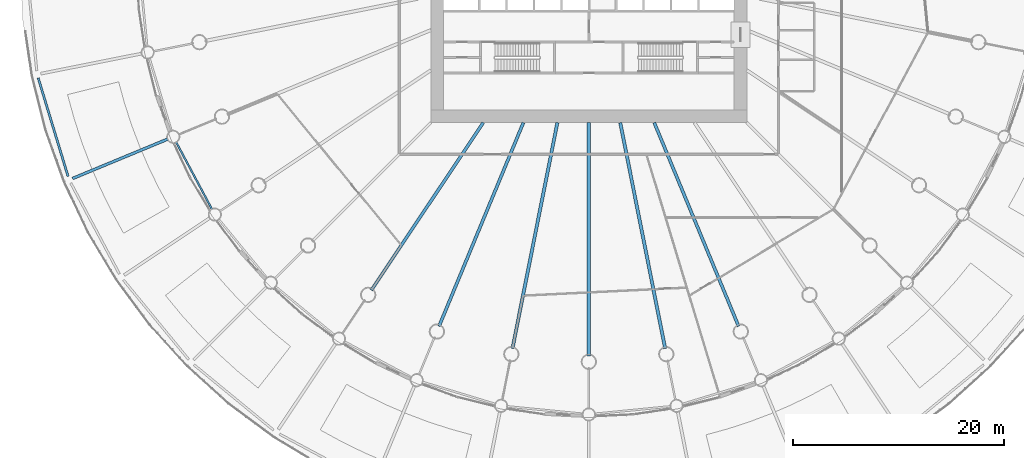
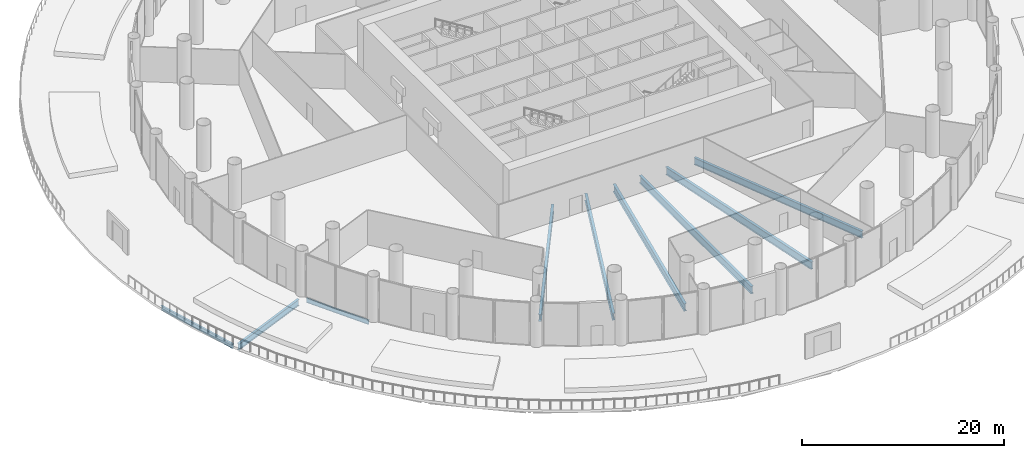
# One storey, part 5 of 36: 9 beams.
"""IFC4 building model written with IfcOpenShell, lengths in metres."""

from ifc_helpers import new_model, si_unit, direction, frame, origin, origin_2d, place, context, subcontext, project, spatial, i_section, extrude, material, material_profile, profile_set, type_object, element, save


model = new_model("IFC4")

# Units and contexts
model_context = context("Model", 3, precision=1e-05, world=origin(), true_north=direction((0.0, 1.0)))
body_context = subcontext(model_context, "Body", "Model", "MODEL_VIEW")
ifc_project = project(units=[si_unit("LENGTHUNIT", "METRE"), si_unit("AREAUNIT", "SQUARE_METRE"), si_unit("VOLUMEUNIT", "CUBIC_METRE"), si_unit("PLANEANGLEUNIT", "RADIAN"), si_unit("MASSUNIT", "GRAM", prefix="KILO")], contexts=[model_context])

# Site, building, storey
site_placement = place(None, origin())
site = spatial("IfcSite", under=ifc_project, at=site_placement, CompositionType="ELEMENT")
building_placement = place(site_placement, origin())
building = spatial("IfcBuilding", under=site, at=building_placement, Name="Corvane Civic Tower", CompositionType="ELEMENT")
storey_placement = place(building_placement, frame((0.0, 0.0, 6.0)))
storey = spatial("IfcBuildingStorey", under=building, at=storey_placement, Name="L01", CompositionType="ELEMENT", Elevation=6.0)

# Beams
ifc_material_1 = material(Name="Steel ASTM A992 Gr 50", Category="steel")
ifc_material_profile_1 = material_profile(ifc_material_1, i_section(OverallWidth=0.2666015625, OverallDepth=0.7568359375, WebThickness=0.013916015625, FlangeThickness=0.019287109375, at=origin_2d()), Name="W30X108")
ifc_profile_set_1 = profile_set([ifc_material_profile_1], Name="Steel ASTM A992 Gr 50")
beam_type_1 = type_object("IfcBeamType", Name="DECK BEAM W30X108", PredefinedType="BEAM", material=ifc_profile_set_1)
beam_1_placement = place(storey_placement, frame((-39.957763671875, -16.551025390625, -0.678466796875), z_axis=(-0.923880501031, -0.382681094144, 0.0), x_axis=(0.382681094144, -0.923880501031, 0.0)))
element("IfcBeam", 1, at=beam_1_placement, inside=storey, type_object=beam_type_1, Name="BM-L01-D23", PredefinedType="BEAM", context=body_context, shape_type="SweptSolid", body=[
    extrude(i_section(OverallWidth=0.2666015625, OverallDepth=0.7568359375, WebThickness=0.013916015625, FlangeThickness=0.019287109375, at=origin_2d()), origin(), (0.0, 0.0, 1.0), 9.7998046875),
])
ifc_material_2 = material(Name="Steel ASTM A992 Gr 50", Category="steel")
ifc_material_profile_2 = material_profile(ifc_material_2, i_section(OverallWidth=0.165771484375, OverallDepth=0.5283203125, WebThickness=0.009765625, FlangeThickness=0.013671875, at=origin_2d()), Name="W21X50")
ifc_profile_set_2 = profile_set([ifc_material_profile_2], Name="Steel ASTM A992 Gr 50")
beam_type_2 = type_object("IfcBeamType", Name="EDGE BEAM W21X50", PredefinedType="BEAM", material=ifc_profile_set_2)
beam_2_placement = place(storey_placement, frame((-35.762939453125, -23.23779296875, -0.564208984375), z_axis=(-0.471412394598, 0.881912894916, 0.0), x_axis=(-0.881912894916, -0.471412394598, 0.0)))
element("IfcBeam", 2, at=beam_2_placement, inside=storey, type_object=beam_type_2, Name="BM-L01-E22", PredefinedType="BEAM", context=body_context, shape_type="SweptSolid", body=[
    extrude(i_section(OverallWidth=0.165771484375, OverallDepth=0.5283203125, WebThickness=0.009765625, FlangeThickness=0.013671875, at=origin_2d()), origin(), (0.0, 0.0, 1.0), 7.270751953125),
])
ifc_material_3 = material(Name="Steel ASTM A992 Gr 50", Category="steel")
ifc_material_profile_3 = material_profile(ifc_material_3, i_section(OverallWidth=0.209228515625, OverallDepth=0.533447265625, WebThickness=0.01025390625, FlangeThickness=0.015625, at=origin_2d()), Name="W21X62")
ifc_profile_set_3 = profile_set([ifc_material_profile_3], Name="Steel ASTM A992 Gr 50")
beam_type_3 = type_object("IfcBeamType", Name="EDGE BEAM W21X62", PredefinedType="BEAM", material=ifc_profile_set_3)
beam_3_placement = place(storey_placement, frame((-49.436767578125, -20.100341796875, -0.566650390625), z_axis=(-0.290295255144, 0.956937126901, 0.0), x_axis=(-0.956937126901, -0.290295255144, 0.0)))
element("IfcBeam", 3, at=beam_3_placement, inside=storey, type_object=beam_type_3, Name="BM-L01-H23", PredefinedType="BEAM", context=body_context, shape_type="SweptSolid", body=[
    extrude(i_section(OverallWidth=0.209228515625, OverallDepth=0.533447265625, WebThickness=0.01025390625, FlangeThickness=0.015625, at=origin_2d()), origin(), (0.0, 0.0, 1.0), 9.768310546875),
])
ifc_material_4 = material(Name="Steel ASTM A992 Gr 50", Category="steel")
ifc_material_profile_4 = material_profile(ifc_material_4, i_section(OverallWidth=0.2919921875, OverallDepth=0.845703125, WebThickness=0.015380859375, FlangeThickness=0.0244140625, at=origin_2d()), Name="W33X141")
ifc_profile_set_4 = profile_set([ifc_material_profile_4], Name="Steel ASTM A992 Gr 50")
beam_type_4 = type_object("IfcBeamType", Name="FLOOR GIRDER W33X141", PredefinedType="BEAM", material=ifc_profile_set_4)
for number, where, z_axis, x_axis, name in (
    (4, (6.213134765625, -15.0, -0.722900390625), (0.382692360381, -0.923875834355, 0.0), (0.923875834355, 0.382692360381, 0.0), "BM-L01-G15"),
    (5, (-6.213134765625, -15.0, -0.722900390625), (-0.382692360381, -0.923875834355, 0.0), (0.923875834355, -0.382692360381, 0.0), "BM-L01-G19"),
):
    element("IfcBeam", number, at=place(storey_placement, frame(where, z_axis=z_axis, x_axis=x_axis)), inside=storey, type_object=beam_type_4, Name=name, PredefinedType="BEAM", context=body_context, shape_type="SweptSolid", body=[
        extrude(i_section(OverallWidth=0.2919921875, OverallDepth=0.845703125, WebThickness=0.015380859375, FlangeThickness=0.0244140625, at=origin_2d()), origin(), (0.0, 0.0, 1.0), 20.9140625),
    ])
beam_4_placement = place(storey_placement, frame((-10.022705078125, -15.0, -0.722900390625), z_axis=(-0.555566681385, -0.831471985418, 0.0), x_axis=(0.831471985418, -0.555566681385, 0.0)))
element("IfcBeam", 6, at=beam_4_placement, inside=storey, type_object=beam_type_4, Name="BM-L01-G20", PredefinedType="BEAM", context=body_context, shape_type="SweptSolid", body=[
    extrude(i_section(OverallWidth=0.2919921875, OverallDepth=0.845703125, WebThickness=0.015380859375, FlangeThickness=0.0244140625, at=origin_2d()), origin(), (0.0, 0.0, 1.0), 19.109619140625),
])
ifc_material_5 = material(Name="Steel ASTM A992 Gr 50", Category="steel")
ifc_material_profile_5 = material_profile(ifc_material_5, i_section(OverallWidth=0.3046875, OverallDepth=0.911865234375, WebThickness=0.015869140625, FlangeThickness=0.02392578125, at=origin_2d()), Name="W36X150")
ifc_profile_set_5 = profile_set([ifc_material_profile_5], Name="Steel ASTM A992 Gr 50")
beam_type_5 = type_object("IfcBeamType", Name="FLOOR GIRDER W36X150", PredefinedType="BEAM", material=ifc_profile_set_5)
beam_5_placement = place(storey_placement, frame((2.983642578125, -15.0, -0.755859375), z_axis=(0.195089219638, -0.980785499679, 0.0), x_axis=(0.980785499679, 0.195089219638, 0.0)))
element("IfcBeam", 7, at=beam_5_placement, inside=storey, type_object=beam_type_5, Name="BM-L01-G16", PredefinedType="BEAM", context=body_context, shape_type="SweptSolid", body=[
    extrude(i_section(OverallWidth=0.3046875, OverallDepth=0.911865234375, WebThickness=0.015869140625, FlangeThickness=0.02392578125, at=origin_2d()), origin(), (0.0, 0.0, 1.0), 21.856201171875),
])
beam_6_placement = place(storey_placement, frame((0.0, -15.0, -0.755859375), z_axis=(0.0, -1.0, 0.0), x_axis=(1.0, 0.0, 0.0)))
element("IfcBeam", 8, at=beam_6_placement, inside=storey, type_object=beam_type_5, Name="BM-L01-G17", PredefinedType="BEAM", context=body_context, shape_type="SweptSolid", body=[
    extrude(i_section(OverallWidth=0.3046875, OverallDepth=0.911865234375, WebThickness=0.015869140625, FlangeThickness=0.02392578125, at=origin_2d()), origin(), (0.0, 0.0, 1.0), 22.14990234375),
])
beam_7_placement = place(storey_placement, frame((-2.983642578125, -15.0, -0.755859375), z_axis=(-0.195089219638, -0.980785499679, 0.0), x_axis=(0.980785499679, -0.195089219638, 0.0)))
element("IfcBeam", 9, at=beam_7_placement, inside=storey, type_object=beam_type_5, Name="BM-L01-G18", PredefinedType="BEAM", context=body_context, shape_type="SweptSolid", body=[
    extrude(i_section(OverallWidth=0.3046875, OverallDepth=0.911865234375, WebThickness=0.015869140625, FlangeThickness=0.02392578125, at=origin_2d()), origin(), (0.0, 0.0, 1.0), 21.856201171875),
])

save(model, "model.ifc")
